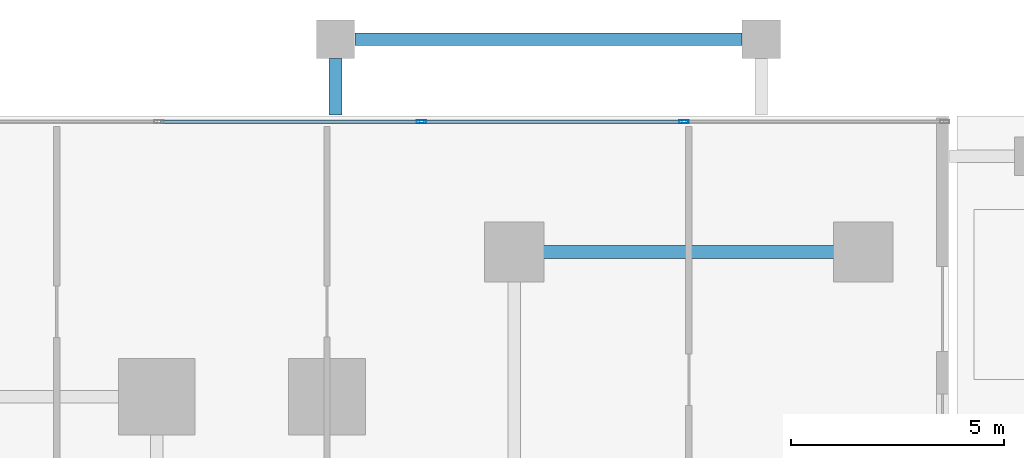
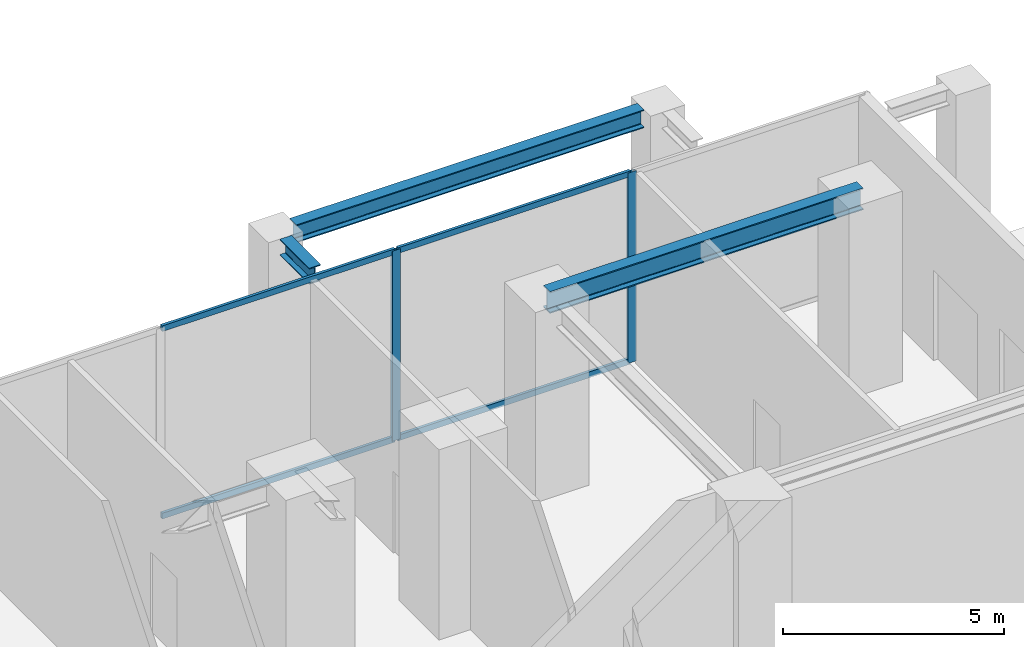
# One storey, part 4 of 17: 6 members, 3 beams, 1 element without a shape of its own.
"""IFC4 building model written with IfcOpenShell, lengths in metres."""

from ifc_helpers import new_model, si_unit, direction, frame, origin, origin_with_axes, origin_2d, place, context, subcontext, project, spatial, hollow_rectangle, i_section, extrude, source, transform, mapped, material, layer, layer_set, material_profile, profile_set, type_object, element, aggregate, save


model = new_model("IFC4")

# Units and contexts
model_context = context("Model", 3, precision=1e-05, world=origin(), true_north=direction((0.0, 1.0)))
body_context = subcontext(model_context, "Body", "Model", "MODEL_VIEW")
ifc_project = project(units=[si_unit("LENGTHUNIT", "METRE"), si_unit("AREAUNIT", "SQUARE_METRE"), si_unit("VOLUMEUNIT", "CUBIC_METRE"), si_unit("PLANEANGLEUNIT", "RADIAN"), si_unit("MASSUNIT", "GRAM", prefix="KILO")], contexts=[model_context])

# Site, building, storey
site_placement = place(None, origin())
site = spatial("IfcSite", under=ifc_project, at=site_placement, CompositionType="ELEMENT")
building_placement = place(site_placement, origin())
building = spatial("IfcBuilding", under=site, at=building_placement, Name="Kolvaren Waterfront Exchange", CompositionType="ELEMENT")
storey_placement = place(building_placement, origin())
storey = spatial("IfcBuildingStorey", under=building, at=storey_placement, Name="L01", CompositionType="ELEMENT", Elevation=0.0)

# Beams
ifc_material_1 = material(Name="Steel S355", Category="steel")
ifc_material_profile_1 = material_profile(ifc_material_1, i_section(OverallWidth=0.300048828125, OverallDepth=0.449951171875, WebThickness=0.013916015625, FlangeThickness=0.02587890625, FilletRadius=0.027099609375, at=origin_2d()), Name="HEB450")
ifc_profile_set_1 = profile_set([ifc_material_profile_1], Name="Steel S355")
beam_type_1 = type_object("IfcBeamType", Name="STR-BM-HEB450", PredefinedType="BEAM", material=ifc_profile_set_1)
beam_1_placement = place(storey_placement, frame((23.0, 52.548095703125, 5.1650390625), z_axis=(0.0, -1.0, 0.0), x_axis=(1.0, 0.0, 0.0)))
element("IfcBeam", 1, at=beam_1_placement, inside=storey, type_object=beam_type_1, Name="L01 north portico tie beam 1", PredefinedType="BEAM", context=body_context, shape_type="SweptSolid", body=[
    extrude(i_section(OverallWidth=0.300048828125, OverallDepth=0.449951171875, WebThickness=0.013916015625, FlangeThickness=0.02587890625, FilletRadius=0.027099609375, at=origin_2d()), origin(), (0.0, 0.0, 1.0), 1.328125),
])
ifc_material_profile_2 = material_profile(ifc_material_1, i_section(OverallWidth=0.300048828125, OverallDepth=0.5, WebThickness=0.014404296875, FlangeThickness=0.028076171875, FilletRadius=0.027099609375, at=origin_2d()), Name="HEB500")
ifc_profile_set_2 = profile_set([ifc_material_profile_2], Name="Steel S355")
beam_type_2 = type_object("IfcBeamType", Name="STR-BM-HEB500", PredefinedType="BEAM", material=ifc_profile_set_2)
beam_2_placement = place(storey_placement, frame((23.451904296875, 53.0, 5.139892578125), z_axis=(1.0, 0.0, 0.0), x_axis=(0.0, 1.0, 0.0)))
element("IfcBeam", 2, at=beam_2_placement, inside=storey, type_object=beam_type_2, Name="L01 north portico header girder", PredefinedType="SPANDREL", context=body_context, shape_type="SweptSolid", body=[
    extrude(i_section(OverallWidth=0.300048828125, OverallDepth=0.5, WebThickness=0.014404296875, FlangeThickness=0.028076171875, FilletRadius=0.027099609375, at=origin_2d()), origin(), (0.0, 0.0, 1.0), 9.09619140625),
])
ifc_material_profile_3 = material_profile(ifc_material_1, i_section(OverallWidth=0.300048828125, OverallDepth=0.60009765625, WebThickness=0.015380859375, FlangeThickness=0.030029296875, FilletRadius=0.027099609375, at=origin_2d()), Name="HEB600")
ifc_profile_set_3 = profile_set([ifc_material_profile_3], Name="Steel S355")
beam_type_3 = type_object("IfcBeamType", Name="STR-BM-HEB600", PredefinedType="BEAM", material=ifc_profile_set_3)
beam_3_placement = place(storey_placement, frame((27.199951171875, 48.0, 4.9599609375), z_axis=(1.0, 0.0, 0.0), x_axis=(0.0, 1.0, 0.0)))
element("IfcBeam", 3, at=beam_3_placement, inside=storey, type_object=beam_type_3, Name="L01 podium north girder 2", PredefinedType="BEAM", context=body_context, shape_type="SweptSolid", body=[
    extrude(i_section(OverallWidth=0.300048828125, OverallDepth=0.60009765625, WebThickness=0.015380859375, FlangeThickness=0.030029296875, FilletRadius=0.027099609375, at=origin_2d()), origin(), (0.0, 0.0, 1.0), 8.199951171875),
])

# Curtain wall, members
ifc_material_2 = material(Name="Anodised bronze aluminium 6063-T6", Category="aluminium")
ifc_layer = layer(ifc_material_2, 0.219970703125, Name="Anodised bronze aluminium 6063-T6")
ifc_layer_set = layer_set([ifc_layer], Name="Anodised bronze aluminium 6063-T6")
curtain_wall_type = type_object("IfcCurtainWallType", Name="ARC-CW-SYS4", PredefinedType="USERDEFINED", material=ifc_layer_set)
curtain_wall_placement = place(storey_placement, origin())
curtain_wall = element("IfcCurtainWall", 4, at=curtain_wall_placement, inside=storey, type_object=curtain_wall_type, Name="L01 stick curtain wall CW4 (CW-L01-N2)", ObjectType="STICK CURTAIN WALL", PredefinedType="USERDEFINED")
ifc_material_3 = material(Name="Anodised aluminium 6063-T6", Category="aluminium")
ifc_material_profile_4 = material_profile(ifc_material_3, hollow_rectangle(XDim=0.080078125, YDim=0.219970703125, WallThickness=0.0048828125, at=origin_2d()), Name="ALU-MUL-220x80x5")
ifc_profile_set_4 = profile_set([ifc_material_profile_4], Name="Anodised aluminium 6063-T6")
member_type_1 = type_object("IfcMemberType", Name="ARC-CWM-220", PredefinedType="MULLION", material=ifc_profile_set_4)
shared_shape_1 = source(origin_with_axes(), body_context, "Body", "SweptSolid", [
    extrude(hollow_rectangle(XDim=0.080078125, YDim=0.219970703125, WallThickness=0.0048828125, at=origin_2d()), origin(), (0.0, 0.0, 1.0), 5.260009765625),
])
member_1_placement = place(storey_placement, frame((31.183349609375, 51.06005859375, 0.0), z_axis=(0.0, 0.0, 1.0), x_axis=(0.0, -1.0, 0.0)))
member_1 = element("IfcMember", 5, at=member_1_placement, type_object=member_type_1, Name="CW4 mullion 2", PredefinedType="MULLION", context=body_context, shape_type="MappedRepresentation", body=[
    mapped(shared_shape_1, transform((0.0, 0.0, 0.0), x_axis=(1.0, 0.0, 0.0), y_axis=(0.0, 1.0, 0.0), z_axis=(0.0, 0.0, 1.0), scale=1.0)),
])
member_2_placement = place(storey_placement, frame((25.0166015625, 51.06005859375, 0.0), z_axis=(0.0, 0.0, 1.0), x_axis=(0.0, -1.0, 0.0)))
member_2 = element("IfcMember", 6, at=member_2_placement, type_object=member_type_1, Name="CW4 mullion 3", PredefinedType="MULLION", context=body_context, shape_type="MappedRepresentation", body=[
    mapped(shared_shape_1, transform((0.0, 0.0, 0.0), x_axis=(1.0, 0.0, 0.0), y_axis=(0.0, 1.0, 0.0), z_axis=(0.0, 0.0, 1.0), scale=1.0)),
])
ifc_material_profile_5 = material_profile(ifc_material_3, hollow_rectangle(XDim=0.074951171875, YDim=0.159912109375, WallThickness=0.00439453125, at=origin_2d()), Name="ALU-TRN-160x75x4.5")
ifc_profile_set_5 = profile_set([ifc_material_profile_5], Name="Anodised aluminium 6063-T6")
member_type_2 = type_object("IfcMemberType", Name="ARC-CWT-160", PredefinedType="USERDEFINED", material=ifc_profile_set_5)
shared_shape_2 = source(origin_with_axes(), body_context, "Body", "SweptSolid", [
    extrude(hollow_rectangle(XDim=0.074951171875, YDim=0.159912109375, WallThickness=0.00439453125, at=origin_2d()), origin(), (0.0, 0.0, 1.0), 6.086669921875),
])
member_3_placement = place(storey_placement, frame((31.143310546875, 51.06005859375, 0.03759765625), z_axis=(-1.0, 0.0, 0.0), x_axis=(0.0, -1.0, 0.0)))
member_3 = element("IfcMember", 7, at=member_3_placement, type_object=member_type_2, Name="CW4 transom 2.1", ObjectType="TRANSOM", PredefinedType="USERDEFINED", context=body_context, shape_type="MappedRepresentation", body=[
    mapped(shared_shape_2, transform((0.0, 0.0, 0.0), x_axis=(1.0, 0.0, 0.0), y_axis=(0.0, 1.0, 0.0), z_axis=(0.0, 0.0, 1.0), scale=1.0)),
])
member_4_placement = place(storey_placement, frame((31.143310546875, 51.06005859375, 5.222412109375), z_axis=(-1.0, 0.0, 0.0), x_axis=(0.0, -1.0, 0.0)))
member_4 = element("IfcMember", 8, at=member_4_placement, type_object=member_type_2, Name="CW4 transom 2.2", ObjectType="TRANSOM", PredefinedType="USERDEFINED", context=body_context, shape_type="MappedRepresentation", body=[
    mapped(shared_shape_2, transform((0.0, 0.0, 0.0), x_axis=(1.0, 0.0, 0.0), y_axis=(0.0, 1.0, 0.0), z_axis=(0.0, 0.0, 1.0), scale=1.0)),
])
member_5_placement = place(storey_placement, frame((24.9765625, 51.06005859375, 0.03759765625), z_axis=(-1.0, 0.0, 0.0), x_axis=(0.0, -1.0, 0.0)))
member_5 = element("IfcMember", 9, at=member_5_placement, type_object=member_type_2, Name="CW4 transom 3.1", ObjectType="TRANSOM", PredefinedType="USERDEFINED", context=body_context, shape_type="MappedRepresentation", body=[
    mapped(shared_shape_2, transform((0.0, 0.0, 0.0), x_axis=(1.0, 0.0, 0.0), y_axis=(0.0, 1.0, 0.0), z_axis=(0.0, 0.0, 1.0), scale=1.0)),
])
member_6_placement = place(storey_placement, frame((24.9765625, 51.06005859375, 5.222412109375), z_axis=(-1.0, 0.0, 0.0), x_axis=(0.0, -1.0, 0.0)))
member_6 = element("IfcMember", 10, at=member_6_placement, type_object=member_type_2, Name="CW4 transom 3.2", ObjectType="TRANSOM", PredefinedType="USERDEFINED", context=body_context, shape_type="MappedRepresentation", body=[
    mapped(shared_shape_2, transform((0.0, 0.0, 0.0), x_axis=(1.0, 0.0, 0.0), y_axis=(0.0, 1.0, 0.0), z_axis=(0.0, 0.0, 1.0), scale=1.0)),
])
aggregate(curtain_wall, [member_1, member_2, member_3, member_4, member_5, member_6])

save(model, "model.ifc")
